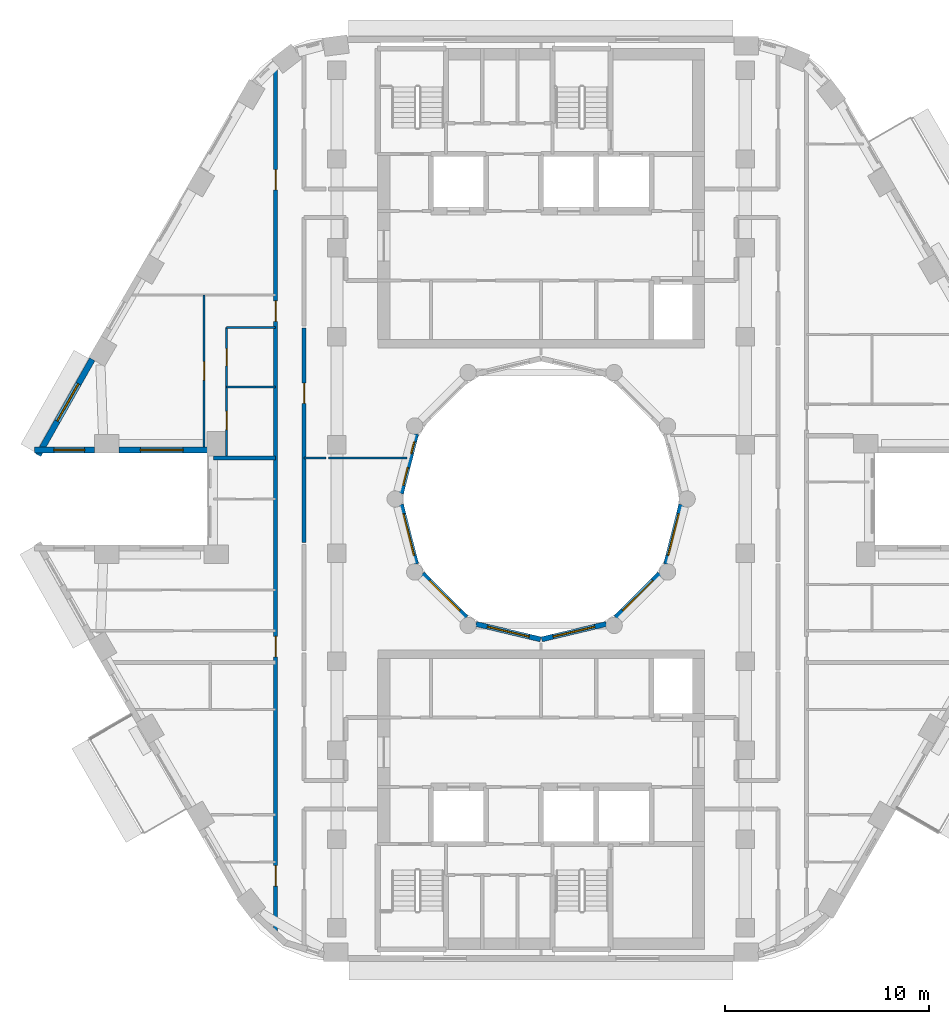
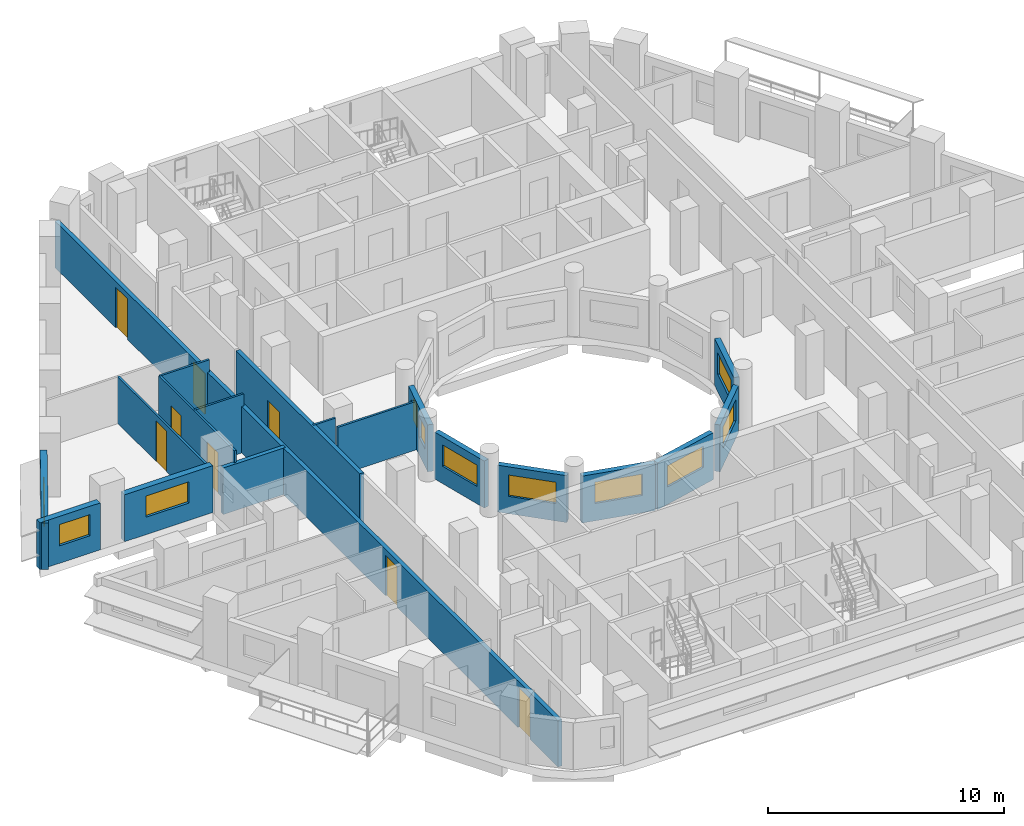
# One storey, part 5 of 18: 19 walls, 11 windows, 8 doors, 19 openings.
"""IFC4 building model written with IfcOpenShell, lengths in metres."""

from ifc_helpers import new_model, si_unit, direction, frame, frame_2d, origin, place, context, subcontext, project, spatial, rectangle, extrude, material, layer, layer_set, type_object, element, fill, save


model = new_model("IFC4")

# Units and contexts
model_context = context("Model", 3, precision=1e-05, world=origin(), true_north=direction((0.0, 1.0)))
body_context = subcontext(model_context, "Body", "Model", "MODEL_VIEW")
ifc_project = project(units=[si_unit("LENGTHUNIT", "METRE"), si_unit("AREAUNIT", "SQUARE_METRE"), si_unit("VOLUMEUNIT", "CUBIC_METRE"), si_unit("PLANEANGLEUNIT", "RADIAN"), si_unit("MASSUNIT", "GRAM", prefix="KILO")], contexts=[model_context])

# Site, building, storey
site_placement = place(None, origin())
site = spatial("IfcSite", under=ifc_project, at=site_placement, CompositionType="ELEMENT")
building_placement = place(site_placement, origin())
building = spatial("IfcBuilding", under=site, at=building_placement, Name="Nakaniwa Court", CompositionType="ELEMENT")
storey_placement = place(building_placement, frame((0.0, 0.0, 176.699951171875)))
storey = spatial("IfcBuildingStorey", under=building, at=storey_placement, Name="L45", CompositionType="ELEMENT", Elevation=176.699951171875)

# Wall, opening, door
ifc_material_1 = material(Name="Acoustic double stud partition")
ifc_layer_1 = layer(ifc_material_1, 0.199951171875)
ifc_layer_set_1 = layer_set([ifc_layer_1], Name="Acoustic double stud partition")
wall_type_1 = type_object("IfcWallType", Name="Acoustic double stud partition 200", PredefinedType="PARTITIONING", material=ifc_layer_set_1)
wall_1_placement = place(storey_placement, frame((68.39990234375, 88.36279296875, 0.0), z_axis=(0.0, 0.0, 1.0), x_axis=(0.0, -1.0, 0.0)))
wall_1 = element("IfcWall", 1, at=wall_1_placement, inside=storey, type_object=wall_type_1, Name="Partition PW-101", PredefinedType="PARTITIONING", context=body_context, shape_type="SweptSolid", body=[
    extrude(rectangle(XDim=10.485595703125, YDim=0.199951171875, at=frame_2d((5.24267578125, 0.0))), origin(), (0.0, 0.0, 1.0), 3.025146484375),
])
opening_1_placement = place(wall_1_placement, frame((2.68310546875, 0.0, 0.0)))
opening_1 = element("IfcOpeningElement", 2, at=opening_1_placement, cuts=wall_1, Name="Opening D-02-06", PredefinedType="OPENING", context=body_context, shape_type="SweptSolid", body=[
    extrude(rectangle(XDim=1.0, YDim=2.10009765625, at=frame_2d((0.5, 1.050048828125))), frame((0.0, 0.10986328125, 0.0), z_axis=(0.0, -1.0, 0.0), x_axis=(1.0, 0.0, 0.0)), (0.0, 0.0, 1.0), 0.219970703125),
])
ifc_material_2 = material(Name="Solid core timber door set, black veneer", Category="wood")
door_type_1 = type_object("IfcDoorType", Name="Internal door 1000", OperationType="NOTDEFINED", PredefinedType="DOOR", material=ifc_material_2)
door_1_placement = place(opening_1_placement, origin())
door_1 = element("IfcDoor", 3, at=door_1_placement, inside=storey, type_object=door_type_1, Name="Door D-02-06 L45-059", OperationType="SINGLE_SWING_RIGHT", OverallHeight=2.10009765625, OverallWidth=1.0, PredefinedType="DOOR", context=body_context, shape_type="SweptSolid", body=[
    extrude(rectangle(XDim=1.0, YDim=2.10009765625, at=frame_2d((0.5, 1.050048828125))), frame((0.0, 0.02490234375, 0.0), z_axis=(0.0, -1.0, 0.0), x_axis=(1.0, 0.0, 0.0)), (0.0, 0.0, 1.0), 0.050048828125),
])
fill(opening_1, door_1)

# Wall, openings, doors
wall_2_placement = place(storey_placement, frame((67.0, 58.67431640625, 0.0), z_axis=(0.0, 0.0, 1.0), x_axis=(0.0, 1.0, 0.0)))
wall_2 = element("IfcWall", 4, at=wall_2_placement, inside=storey, type_object=wall_type_1, Name="Partition PW-104", PredefinedType="PARTITIONING", context=body_context, shape_type="SweptSolid", body=[
    extrude(rectangle(XDim=42.591796875, YDim=0.199951171875, at=frame_2d((21.2958984375, 0.0))), origin(), (0.0, 0.0, 1.0), 2.405029296875),
])
opening_2_placement = place(wall_2_placement, frame((2.3759765625, 0.0, 0.0)))
opening_2 = element("IfcOpeningElement", 5, at=opening_2_placement, cuts=wall_2, Name="Opening D-01-04", PredefinedType="OPENING", context=body_context, shape_type="SweptSolid", body=[
    extrude(rectangle(XDim=1.0, YDim=2.10009765625, at=frame_2d((0.5, 1.050048828125))), frame((0.0, 0.10986328125, 0.0), z_axis=(0.0, -1.0, 0.0), x_axis=(1.0, 0.0, 0.0)), (0.0, 0.0, 1.0), 0.219970703125),
])
opening_3_placement = place(wall_2_placement, frame((13.60107421875, 0.0, 0.0)))
opening_3 = element("IfcOpeningElement", 6, at=opening_3_placement, cuts=wall_2, Name="Opening D-01-05", PredefinedType="OPENING", context=body_context, shape_type="SweptSolid", body=[
    extrude(rectangle(XDim=1.0, YDim=2.10009765625, at=frame_2d((0.5, 1.050048828125))), frame((0.0, 0.10986328125, 0.0), z_axis=(0.0, -1.0, 0.0), x_axis=(1.0, 0.0, 0.0)), (0.0, 0.0, 1.0), 0.219970703125),
])
opening_4_placement = place(wall_2_placement, frame((30.02587890625, 0.0, 0.0)))
opening_4 = element("IfcOpeningElement", 7, at=opening_4_placement, cuts=wall_2, Name="Opening D-01-06", PredefinedType="OPENING", context=body_context, shape_type="SweptSolid", body=[
    extrude(rectangle(XDim=1.0, YDim=2.10009765625, at=frame_2d((0.5, 1.050048828125))), frame((0.0, 0.10986328125, 0.0), z_axis=(0.0, -1.0, 0.0), x_axis=(1.0, 0.0, 0.0)), (0.0, 0.0, 1.0), 0.219970703125),
])
opening_5_placement = place(wall_2_placement, frame((36.45703125, 0.0, 0.0)))
opening_5 = element("IfcOpeningElement", 8, at=opening_5_placement, cuts=wall_2, Name="Opening D-02-08", PredefinedType="OPENING", context=body_context, shape_type="SweptSolid", body=[
    extrude(rectangle(XDim=1.0, YDim=2.10009765625, at=frame_2d((0.5, 1.050048828125))), frame((0.0, 0.10986328125, 0.0), z_axis=(0.0, -1.0, 0.0), x_axis=(1.0, 0.0, 0.0)), (0.0, 0.0, 1.0), 0.219970703125),
])
door_type_2 = type_object("IfcDoorType", Name="Flat entrance door 1000", OperationType="NOTDEFINED", PredefinedType="DOOR", material=ifc_material_2)
door_2_placement = place(opening_2_placement, origin())
door_2 = element("IfcDoor", 9, at=door_2_placement, inside=storey, type_object=door_type_2, Name="Door D-01-04 L45-045", OperationType="SINGLE_SWING_RIGHT", OverallHeight=2.10009765625, OverallWidth=1.0, PredefinedType="DOOR", context=body_context, shape_type="SweptSolid", body=[
    extrude(rectangle(XDim=1.0, YDim=2.10009765625, at=frame_2d((0.5, 1.050048828125))), frame((0.0, 0.02490234375, 0.0), z_axis=(0.0, -1.0, 0.0), x_axis=(1.0, 0.0, 0.0)), (0.0, 0.0, 1.0), 0.050048828125),
])
fill(opening_2, door_2)
door_3_placement = place(opening_3_placement, origin())
door_3 = element("IfcDoor", 10, at=door_3_placement, inside=storey, type_object=door_type_2, Name="Door D-01-05 L45-051", OperationType="SINGLE_SWING_RIGHT", OverallHeight=2.10009765625, OverallWidth=1.0, PredefinedType="DOOR", context=body_context, shape_type="SweptSolid", body=[
    extrude(rectangle(XDim=1.0, YDim=2.10009765625, at=frame_2d((0.5, 1.050048828125))), frame((0.0, 0.02490234375, 0.0), z_axis=(0.0, -1.0, 0.0), x_axis=(1.0, 0.0, 0.0)), (0.0, 0.0, 1.0), 0.050048828125),
])
fill(opening_3, door_3)
door_4_placement = place(opening_4_placement, origin())
door_4 = element("IfcDoor", 11, at=door_4_placement, inside=storey, type_object=door_type_2, Name="Door D-01-06 L45-055", OperationType="SINGLE_SWING_RIGHT", OverallHeight=2.10009765625, OverallWidth=1.0, PredefinedType="DOOR", context=body_context, shape_type="SweptSolid", body=[
    extrude(rectangle(XDim=1.0, YDim=2.10009765625, at=frame_2d((0.5, 1.050048828125))), frame((0.0, 0.02490234375, 0.0), z_axis=(0.0, -1.0, 0.0), x_axis=(1.0, 0.0, 0.0)), (0.0, 0.0, 1.0), 0.050048828125),
])
fill(opening_4, door_4)
door_5_placement = place(opening_5_placement, origin())
door_5 = element("IfcDoor", 12, at=door_5_placement, inside=storey, type_object=door_type_1, Name="Door D-02-08 L45-061", OperationType="SINGLE_SWING_RIGHT", OverallHeight=2.10009765625, OverallWidth=1.0, PredefinedType="DOOR", context=body_context, shape_type="SweptSolid", body=[
    extrude(rectangle(XDim=1.0, YDim=2.10009765625, at=frame_2d((0.5, 1.050048828125))), frame((0.0, 0.02490234375, 0.0), z_axis=(0.0, -1.0, 0.0), x_axis=(1.0, 0.0, 0.0)), (0.0, 0.0, 1.0), 0.050048828125),
])
fill(opening_5, door_5)

# Wall
wall_3_placement = place(storey_placement, frame((63.950439453125, 82.0, 0.0), z_axis=(0.0, 0.0, 1.0), x_axis=(1.0, 0.0, 0.0)))
element("IfcWall", 13, at=wall_3_placement, inside=storey, type_object=wall_type_1, Name="Partition PW-138", PredefinedType="PARTITIONING", context=body_context, shape_type="SweptSolid", body=[
    extrude(rectangle(XDim=3.048583984375, YDim=0.199951171875, at=frame_2d((1.5244140625, 0.0))), origin(), (0.0, 0.0, 1.0), 2.405029296875),
])

# Wall, opening, window
ifc_material_3 = material(Name="Charcoal ceramic cladding")
ifc_layer_2 = layer(ifc_material_3, 0.02, Name="Ceramic cladding")
ifc_material_4 = material(Name="Ventilated air cavity")
ifc_layer_3 = layer(ifc_material_4, 0.04, ventilated=True, Name="Ventilated cavity")
ifc_material_5 = material(Name="Mineral wool insulation")
ifc_layer_4 = layer(ifc_material_5, 0.1, Name="Insulation")
ifc_material_6 = material(Name="Cement bonded sheathing board")
ifc_layer_5 = layer(ifc_material_6, 0.012, Name="Sheathing")
ifc_material_7 = material(Name="Cold-formed galvanised stud frame with mineral wool infill")
ifc_layer_6 = layer(ifc_material_7, 0.1, Name="Stud frame")
ifc_material_8 = material(Name="Fire-rated gypsum plasterboard lining")
ifc_layer_7 = layer(ifc_material_8, 0.028, Name="Lining")
ifc_layer_set_2 = layer_set([ifc_layer_2, ifc_layer_3, ifc_layer_4, ifc_layer_5, ifc_layer_6, ifc_layer_7], Name="Charcoal ceramic faced external wall system")
wall_type_2 = type_object("IfcWallType", Name="Black ceramic faced external wall 300", PredefinedType="SOLIDWALL", material=ifc_layer_set_2)
wall_4_placement = place(storey_placement, frame((58.023193359375, 86.843017578125, 0.0), z_axis=(0.0, 0.0, 1.0), x_axis=(-0.492033360928, -0.870576344575, 0.0)))
wall_4 = element("IfcWall", 14, at=wall_4_placement, inside=storey, type_object=wall_type_2, Name="L45 external wall 14", PredefinedType="SOLIDWALL", context=body_context, shape_type="SweptSolid", body=[
    extrude(rectangle(XDim=5.38671875, YDim=0.300048828125, at=frame_2d((2.693359375, 0.0))), origin(), (0.0, 0.0, 1.0), 2.425048828125),
])
opening_6_placement = place(wall_4_placement, frame((1.38037109375, 0.0, 0.89990234375)))
opening_6 = element("IfcOpeningElement", 15, at=opening_6_placement, cuts=wall_4, Name="Opening W7.14", PredefinedType="OPENING", context=body_context, shape_type="SweptSolid", body=[
    extrude(rectangle(XDim=2.10009765625, YDim=1.10009765625, at=frame_2d((1.050048828125, 0.550048828125))), frame((0.0, 0.159912109375, 0.0), z_axis=(0.0, -1.0, 0.0), x_axis=(1.0, 0.0, 0.0)), (0.0, 0.0, 1.0), 0.320068359375),
])
ifc_material_9 = material(Name="Black anodised aluminium frame with dark low-E laminated double glazing", Category="aluminium")
window_type_1 = type_object("IfcWindowType", Name="Dark glass window 2100x1100 sill 900", PartitioningType="SINGLE_PANEL", PredefinedType="WINDOW", material=ifc_material_9)
window_1_placement = place(opening_6_placement, origin())
window_1 = element("IfcWindow", 16, at=window_1_placement, inside=storey, type_object=window_type_1, Name="L45 living window 14-0", OverallHeight=1.10009765625, OverallWidth=2.10009765625, PartitioningType="SINGLE_PANEL", PredefinedType="WINDOW", context=body_context, shape_type="SweptSolid", body=[
    extrude(rectangle(XDim=2.10009765625, YDim=1.10009765625, at=frame_2d((1.050048828125, 0.550048828125))), frame((0.0, 0.030029296875, 0.0), z_axis=(0.0, -1.0, 0.0), x_axis=(1.0, 0.0, 0.0)), (0.0, 0.0, 1.0), 0.06005859375),
])
fill(opening_6, window_1)

wall_5_placement = place(storey_placement, frame((55.2021484375, 82.39990234375, 0.0), z_axis=(0.0, 0.0, 1.0), x_axis=(1.0, 0.0, 0.0)))
wall_5 = element("IfcWall", 17, at=wall_5_placement, inside=storey, type_object=wall_type_2, Name="L45 external wall 15", PredefinedType="SOLIDWALL", context=body_context, shape_type="SweptSolid", body=[
    extrude(rectangle(XDim=2.937744140625, YDim=0.300048828125, at=frame_2d((1.46875, 0.0))), origin(), (0.0, 0.0, 1.0), 2.425048828125),
])
opening_7_placement = place(wall_5_placement, frame((0.944091796875, 0.0, 0.89990234375)))
opening_7 = element("IfcOpeningElement", 18, at=opening_7_placement, cuts=wall_5, Name="Opening W5.15", PredefinedType="OPENING", context=body_context, shape_type="SweptSolid", body=[
    extrude(rectangle(XDim=1.5, YDim=1.10009765625, at=frame_2d((0.75, 0.550048828125))), frame((0.0, 0.159912109375, 0.0), z_axis=(0.0, -1.0, 0.0), x_axis=(1.0, 0.0, 0.0)), (0.0, 0.0, 1.0), 0.320068359375),
])
window_type_2 = type_object("IfcWindowType", Name="Dark glass window 1500x1100 sill 900", PartitioningType="SINGLE_PANEL", PredefinedType="WINDOW", material=ifc_material_9)
window_2_placement = place(opening_7_placement, origin())
window_2 = element("IfcWindow", 19, at=window_2_placement, inside=storey, type_object=window_type_2, Name="L45 living window 15-0", OverallHeight=1.10009765625, OverallWidth=1.5, PartitioningType="SINGLE_PANEL", PredefinedType="WINDOW", context=body_context, shape_type="SweptSolid", body=[
    extrude(rectangle(XDim=1.5, YDim=1.10009765625, at=frame_2d((0.75, 0.550048828125))), frame((0.0, 0.030029296875, 0.0), z_axis=(0.0, -1.0, 0.0), x_axis=(1.0, 0.0, 0.0)), (0.0, 0.0, 1.0), 0.06005859375),
])
fill(opening_7, window_2)

wall_6_placement = place(storey_placement, frame((59.33203125, 82.39990234375, 0.0), z_axis=(0.0, 0.0, 1.0), x_axis=(1.0, 0.0, 0.0)))
wall_6 = element("IfcWall", 20, at=wall_6_placement, inside=storey, type_object=wall_type_2, Name="L45 external wall 16", PredefinedType="SOLIDWALL", context=body_context, shape_type="SweptSolid", body=[
    extrude(rectangle(XDim=4.322509765625, YDim=0.300048828125, at=frame_2d((2.1611328125, 0.0))), origin(), (0.0, 0.0, 1.0), 2.425048828125),
])
opening_8_placement = place(wall_6_placement, frame((1.04541015625, 0.0, 0.89990234375)))
opening_8 = element("IfcOpeningElement", 21, at=opening_8_placement, cuts=wall_6, Name="Opening W7.16", PredefinedType="OPENING", context=body_context, shape_type="SweptSolid", body=[
    extrude(rectangle(XDim=2.10009765625, YDim=1.10009765625, at=frame_2d((1.050048828125, 0.550048828125))), frame((0.0, 0.159912109375, 0.0), z_axis=(0.0, -1.0, 0.0), x_axis=(1.0, 0.0, 0.0)), (0.0, 0.0, 1.0), 0.320068359375),
])
window_3_placement = place(opening_8_placement, origin())
window_3 = element("IfcWindow", 22, at=window_3_placement, inside=storey, type_object=window_type_1, Name="L45 living window 16-0", OverallHeight=1.10009765625, OverallWidth=2.10009765625, PartitioningType="SINGLE_PANEL", PredefinedType="WINDOW", context=body_context, shape_type="SweptSolid", body=[
    extrude(rectangle(XDim=2.10009765625, YDim=1.10009765625, at=frame_2d((1.050048828125, 0.550048828125))), frame((0.0, 0.030029296875, 0.0), z_axis=(0.0, -1.0, 0.0), x_axis=(1.0, 0.0, 0.0)), (0.0, 0.0, 1.0), 0.06005859375),
])
fill(opening_8, window_3)

ifc_layer_8 = layer(ifc_material_3, 0.02, Name="Ceramic cladding")
ifc_layer_9 = layer(ifc_material_4, 0.04, ventilated=True, Name="Ventilated cavity")
ifc_layer_10 = layer(ifc_material_5, 0.075, Name="Insulation")
ifc_layer_11 = layer(ifc_material_6, 0.012, Name="Sheathing")
ifc_layer_12 = layer(ifc_material_7, 0.075, Name="Stud frame")
ifc_layer_13 = layer(ifc_material_8, 0.028, Name="Lining")
ifc_layer_set_3 = layer_set([ifc_layer_8, ifc_layer_9, ifc_layer_10, ifc_layer_11, ifc_layer_12, ifc_layer_13], Name="Charcoal ceramic faced external wall system")
wall_type_3 = type_object("IfcWallType", Name="Charcoal ceramic faced well wall 250", PredefinedType="SOLIDWALL", material=ifc_layer_set_3)
wall_7_placement = place(storey_placement, frame((86.8603515625, 79.72998046875, 0.0), z_axis=(0.0, 0.0, 1.0), x_axis=(-0.247055971283, -0.969001211069, 0.0)))
wall_7 = element("IfcWall", 23, at=wall_7_placement, inside=storey, type_object=wall_type_3, Name="L45 external wall 36", PredefinedType="SOLIDWALL", context=body_context, shape_type="SweptSolid", body=[
    extrude(rectangle(XDim=3.010009765625, YDim=0.25, at=frame_2d((1.5048828125, 0.0))), origin(), (0.0, 0.0, 1.0), 2.425048828125),
])
opening_9_placement = place(wall_7_placement, frame((0.46875, 0.0, 0.89990234375)))
opening_9 = element("IfcOpeningElement", 24, at=opening_9_placement, cuts=wall_7, Name="Opening W7.37", PredefinedType="OPENING", context=body_context, shape_type="SweptSolid", body=[
    extrude(rectangle(XDim=2.10009765625, YDim=1.10009765625, at=frame_2d((1.050048828125, 0.550048828125))), frame((0.0, 0.135009765625, 0.0), z_axis=(0.0, -1.0, 0.0), x_axis=(1.0, 0.0, 0.0)), (0.0, 0.0, 1.0), 0.27001953125),
])
window_4_placement = place(opening_9_placement, origin())
window_4 = element("IfcWindow", 25, at=window_4_placement, inside=storey, type_object=window_type_1, Name="L45 habitable room window 36-0", OverallHeight=1.10009765625, OverallWidth=2.10009765625, PartitioningType="SINGLE_PANEL", PredefinedType="WINDOW", context=body_context, shape_type="SweptSolid", body=[
    extrude(rectangle(XDim=2.10009765625, YDim=1.10009765625, at=frame_2d((1.050048828125, 0.550048828125))), frame((0.0, 0.030029296875, 0.0), z_axis=(0.0, -1.0, 0.0), x_axis=(1.0, 0.0, 0.0)), (0.0, 0.0, 1.0), 0.06005859375),
])
fill(opening_9, window_4)

wall_8_placement = place(storey_placement, frame((85.8056640625, 76.339111328125, 0.0), z_axis=(0.0, 0.0, 1.0), x_axis=(-0.707106781187, -0.707106781187, 0.0)))
wall_8 = element("IfcWall", 26, at=wall_8_placement, inside=storey, type_object=wall_type_3, Name="L45 external wall 37", PredefinedType="SOLIDWALL", context=body_context, shape_type="SweptSolid", body=[
    extrude(rectangle(XDim=3.033203125, YDim=0.25, at=frame_2d((1.5166015625, 0.0))), origin(), (0.0, 0.0, 1.0), 2.425048828125),
])
opening_10_placement = place(wall_8_placement, frame((0.466552734375, 0.0, 0.89990234375)))
opening_10 = element("IfcOpeningElement", 27, at=opening_10_placement, cuts=wall_8, Name="Opening W7.38", PredefinedType="OPENING", context=body_context, shape_type="SweptSolid", body=[
    extrude(rectangle(XDim=2.10009765625, YDim=1.10009765625, at=frame_2d((1.050048828125, 0.550048828125))), frame((0.0, 0.135009765625, 0.0), z_axis=(0.0, -1.0, 0.0), x_axis=(1.0, 0.0, 0.0)), (0.0, 0.0, 1.0), 0.27001953125),
])
window_5_placement = place(opening_10_placement, origin())
window_5 = element("IfcWindow", 28, at=window_5_placement, inside=storey, type_object=window_type_1, Name="L45 habitable room window 37-0", OverallHeight=1.10009765625, OverallWidth=2.10009765625, PartitioningType="SINGLE_PANEL", PredefinedType="WINDOW", context=body_context, shape_type="SweptSolid", body=[
    extrude(rectangle(XDim=2.10009765625, YDim=1.10009765625, at=frame_2d((1.050048828125, 0.550048828125))), frame((0.0, 0.030029296875, 0.0), z_axis=(0.0, -1.0, 0.0), x_axis=(1.0, 0.0, 0.0)), (0.0, 0.0, 1.0), 0.06005859375),
])
fill(opening_10, window_5)

wall_9_placement = place(storey_placement, frame((83.186279296875, 73.880615234375, 0.0), z_axis=(0.0, 0.0, 1.0), x_axis=(-0.972773113459, -0.231759508395, 0.0)))
wall_9 = element("IfcWall", 29, at=wall_9_placement, inside=storey, type_object=wall_type_3, Name="L45 external wall 38", PredefinedType="SOLIDWALL", context=body_context, shape_type="SweptSolid", body=[
    extrude(rectangle(XDim=3.24560546875, YDim=0.25, at=frame_2d((1.622802734375, 0.0))), origin(), (0.0, 0.0, 1.0), 2.425048828125),
])
opening_11_placement = place(wall_9_placement, frame((0.57275390625, 0.0, 0.89990234375)))
opening_11 = element("IfcOpeningElement", 30, at=opening_11_placement, cuts=wall_9, Name="Opening W7.39", PredefinedType="OPENING", context=body_context, shape_type="SweptSolid", body=[
    extrude(rectangle(XDim=2.10009765625, YDim=1.10009765625, at=frame_2d((1.050048828125, 0.550048828125))), frame((0.0, 0.135009765625, 0.0), z_axis=(0.0, -1.0, 0.0), x_axis=(1.0, 0.0, 0.0)), (0.0, 0.0, 1.0), 0.27001953125),
])
window_6_placement = place(opening_11_placement, origin())
window_6 = element("IfcWindow", 31, at=window_6_placement, inside=storey, type_object=window_type_1, Name="L45 habitable room window 38-0", OverallHeight=1.10009765625, OverallWidth=2.10009765625, PartitioningType="SINGLE_PANEL", PredefinedType="WINDOW", context=body_context, shape_type="SweptSolid", body=[
    extrude(rectangle(XDim=2.10009765625, YDim=1.10009765625, at=frame_2d((1.050048828125, 0.550048828125))), frame((0.0, 0.030029296875, 0.0), z_axis=(0.0, -1.0, 0.0), x_axis=(1.0, 0.0, 0.0)), (0.0, 0.0, 1.0), 0.06005859375),
])
fill(opening_11, window_6)

wall_10_placement = place(storey_placement, frame((79.970947265625, 73.12841796875, 0.0), z_axis=(0.0, 0.0, 1.0), x_axis=(-0.972773113459, 0.231759508395, 0.0)))
wall_10 = element("IfcWall", 32, at=wall_10_placement, inside=storey, type_object=wall_type_3, Name="L45 external wall 39", PredefinedType="SOLIDWALL", context=body_context, shape_type="SweptSolid", body=[
    extrude(rectangle(XDim=3.24560546875, YDim=0.25, at=frame_2d((1.622802734375, 0.0))), origin(), (0.0, 0.0, 1.0), 2.425048828125),
])
opening_12_placement = place(wall_10_placement, frame((0.57275390625, 0.0, 0.89990234375)))
opening_12 = element("IfcOpeningElement", 33, at=opening_12_placement, cuts=wall_10, Name="Opening W7.40", PredefinedType="OPENING", context=body_context, shape_type="SweptSolid", body=[
    extrude(rectangle(XDim=2.10009765625, YDim=1.10009765625, at=frame_2d((1.050048828125, 0.550048828125))), frame((0.0, 0.135009765625, 0.0), z_axis=(0.0, -1.0, 0.0), x_axis=(1.0, 0.0, 0.0)), (0.0, 0.0, 1.0), 0.27001953125),
])
window_7_placement = place(opening_12_placement, origin())
window_7 = element("IfcWindow", 34, at=window_7_placement, inside=storey, type_object=window_type_1, Name="L45 habitable room window 39-0", OverallHeight=1.10009765625, OverallWidth=2.10009765625, PartitioningType="SINGLE_PANEL", PredefinedType="WINDOW", context=body_context, shape_type="SweptSolid", body=[
    extrude(rectangle(XDim=2.10009765625, YDim=1.10009765625, at=frame_2d((1.050048828125, 0.550048828125))), frame((0.0, 0.030029296875, 0.0), z_axis=(0.0, -1.0, 0.0), x_axis=(1.0, 0.0, 0.0)), (0.0, 0.0, 1.0), 0.06005859375),
])
fill(opening_12, window_7)

wall_11_placement = place(storey_placement, frame((76.339111328125, 74.1943359375, 0.0), z_axis=(0.0, 0.0, 1.0), x_axis=(-0.707106781187, 0.707106781187, 0.0)))
wall_11 = element("IfcWall", 35, at=wall_11_placement, inside=storey, type_object=wall_type_3, Name="L45 external wall 40", PredefinedType="SOLIDWALL", context=body_context, shape_type="SweptSolid", body=[
    extrude(rectangle(XDim=3.033203125, YDim=0.25, at=frame_2d((1.5166015625, 0.0))), origin(), (0.0, 0.0, 1.0), 2.425048828125),
])
opening_13_placement = place(wall_11_placement, frame((0.466552734375, 0.0, 0.89990234375)))
opening_13 = element("IfcOpeningElement", 36, at=opening_13_placement, cuts=wall_11, Name="Opening W7.41", PredefinedType="OPENING", context=body_context, shape_type="SweptSolid", body=[
    extrude(rectangle(XDim=2.10009765625, YDim=1.10009765625, at=frame_2d((1.050048828125, 0.550048828125))), frame((0.0, 0.135009765625, 0.0), z_axis=(0.0, -1.0, 0.0), x_axis=(1.0, 0.0, 0.0)), (0.0, 0.0, 1.0), 0.27001953125),
])
window_8_placement = place(opening_13_placement, origin())
window_8 = element("IfcWindow", 37, at=window_8_placement, inside=storey, type_object=window_type_1, Name="L45 habitable room window 40-0", OverallHeight=1.10009765625, OverallWidth=2.10009765625, PartitioningType="SINGLE_PANEL", PredefinedType="WINDOW", context=body_context, shape_type="SweptSolid", body=[
    extrude(rectangle(XDim=2.10009765625, YDim=1.10009765625, at=frame_2d((1.050048828125, 0.550048828125))), frame((0.0, 0.030029296875, 0.0), z_axis=(0.0, -1.0, 0.0), x_axis=(1.0, 0.0, 0.0)), (0.0, 0.0, 1.0), 0.06005859375),
])
fill(opening_13, window_8)

wall_12_placement = place(storey_placement, frame((73.88330078125, 76.813232421875, 0.0), z_axis=(0.0, 0.0, 1.0), x_axis=(-0.247055971283, 0.969001211069, 0.0)))
wall_12 = element("IfcWall", 38, at=wall_12_placement, inside=storey, type_object=wall_type_3, Name="L45 external wall 41", PredefinedType="SOLIDWALL", context=body_context, shape_type="SweptSolid", body=[
    extrude(rectangle(XDim=3.010009765625, YDim=0.25, at=frame_2d((1.5048828125, 0.0))), origin(), (0.0, 0.0, 1.0), 2.425048828125),
])
opening_14_placement = place(wall_12_placement, frame((0.441162109375, 0.0, 0.89990234375)))
opening_14 = element("IfcOpeningElement", 39, at=opening_14_placement, cuts=wall_12, Name="Opening W7.42", PredefinedType="OPENING", context=body_context, shape_type="SweptSolid", body=[
    extrude(rectangle(XDim=2.10009765625, YDim=1.10009765625, at=frame_2d((1.050048828125, 0.550048828125))), frame((0.0, 0.135009765625, 0.0), z_axis=(0.0, -1.0, 0.0), x_axis=(1.0, 0.0, 0.0)), (0.0, 0.0, 1.0), 0.27001953125),
])
window_9_placement = place(opening_14_placement, origin())
window_9 = element("IfcWindow", 40, at=window_9_placement, inside=storey, type_object=window_type_1, Name="L45 habitable room window 41-0", OverallHeight=1.10009765625, OverallWidth=2.10009765625, PartitioningType="SINGLE_PANEL", PredefinedType="WINDOW", context=body_context, shape_type="SweptSolid", body=[
    extrude(rectangle(XDim=2.10009765625, YDim=1.10009765625, at=frame_2d((1.050048828125, 0.550048828125))), frame((0.0, 0.030029296875, 0.0), z_axis=(0.0, -1.0, 0.0), x_axis=(1.0, 0.0, 0.0)), (0.0, 0.0, 1.0), 0.06005859375),
])
fill(opening_14, window_9)

# Wall, openings, windows
wall_13_placement = place(storey_placement, frame((73.1396484375, 80.27001953125, 0.0), z_axis=(0.0, 0.0, 1.0), x_axis=(0.247055971283, 0.969001211069, 0.0)))
wall_13 = element("IfcWall", 41, at=wall_13_placement, inside=storey, type_object=wall_type_3, Name="L45 external wall 42", PredefinedType="SOLIDWALL", context=body_context, shape_type="SweptSolid", body=[
    extrude(rectangle(XDim=3.010009765625, YDim=0.25, at=frame_2d((1.5048828125, 0.0))), origin(), (0.0, 0.0, 1.0), 2.425048828125),
])
opening_15_placement = place(wall_13_placement, frame((0.418701171875, 0.0, 0.89990234375)))
opening_15 = element("IfcOpeningElement", 42, at=opening_15_placement, cuts=wall_13, Name="Opening W9.43", PredefinedType="OPENING", context=body_context, shape_type="SweptSolid", body=[
    extrude(rectangle(XDim=0.89990234375, YDim=1.10009765625, at=frame_2d((0.449951171875, 0.550048828125))), frame((0.0, 0.135009765625, 0.0), z_axis=(0.0, -1.0, 0.0), x_axis=(1.0, 0.0, 0.0)), (0.0, 0.0, 1.0), 0.27001953125),
])
opening_16_placement = place(wall_13_placement, frame((2.018310546875, 0.0, 0.89990234375)))
opening_16 = element("IfcOpeningElement", 43, at=opening_16_placement, cuts=wall_13, Name="Opening W8.44", PredefinedType="OPENING", context=body_context, shape_type="SweptSolid", body=[
    extrude(rectangle(XDim=0.60009765625, YDim=1.10009765625, at=frame_2d((0.300048828125, 0.550048828125))), frame((0.0, 0.135009765625, 0.0), z_axis=(0.0, -1.0, 0.0), x_axis=(1.0, 0.0, 0.0)), (0.0, 0.0, 1.0), 0.27001953125),
])
window_type_3 = type_object("IfcWindowType", Name="Dark glass window 600x1100 sill 900", PartitioningType="SINGLE_PANEL", PredefinedType="WINDOW", material=ifc_material_9)
window_10_placement = place(opening_16_placement, origin())
window_10 = element("IfcWindow", 44, at=window_10_placement, inside=storey, type_object=window_type_3, Name="L45 habitable room window 42-1", OverallHeight=1.10009765625, OverallWidth=0.60009765625, PartitioningType="SINGLE_PANEL", PredefinedType="WINDOW", context=body_context, shape_type="SweptSolid", body=[
    extrude(rectangle(XDim=0.60009765625, YDim=1.10009765625, at=frame_2d((0.300048828125, 0.550048828125))), frame((0.0, 0.030029296875, 0.0), z_axis=(0.0, -1.0, 0.0), x_axis=(1.0, 0.0, 0.0)), (0.0, 0.0, 1.0), 0.06005859375),
])
fill(opening_16, window_10)
window_type_4 = type_object("IfcWindowType", Name="Dark glass window 900x1100 sill 900", PartitioningType="SINGLE_PANEL", PredefinedType="WINDOW", material=ifc_material_9)
window_11_placement = place(opening_15_placement, origin())
window_11 = element("IfcWindow", 45, at=window_11_placement, inside=storey, type_object=window_type_4, Name="L45 habitable room window 42-0", OverallHeight=1.10009765625, OverallWidth=0.89990234375, PartitioningType="SINGLE_PANEL", PredefinedType="WINDOW", context=body_context, shape_type="SweptSolid", body=[
    extrude(rectangle(XDim=0.89990234375, YDim=1.10009765625, at=frame_2d((0.449951171875, 0.550048828125))), frame((0.0, 0.030029296875, 0.0), z_axis=(0.0, -1.0, 0.0), x_axis=(1.0, 0.0, 0.0)), (0.0, 0.0, 1.0), 0.06005859375),
])
fill(opening_15, window_11)

# Walls
ifc_material_10 = material(Name="Single stud plasterboard partition")
ifc_layer_14 = layer(ifc_material_10, 0.10009765625)
ifc_layer_set_4 = layer_set([ifc_layer_14], Name="Single stud plasterboard partition")
wall_type_4 = type_object("IfcWallType", Name="Single stud plasterboard partition 100", PredefinedType="PARTITIONING", material=ifc_layer_set_4)
wall_14_placement = place(storey_placement, frame((68.40087890625, 82.0, 0.0), z_axis=(0.0, 0.0, 1.0), x_axis=(1.0, 0.0, 0.0)))
element("IfcWall", 46, at=wall_14_placement, inside=storey, type_object=wall_type_4, Name="Partition PW-134", PredefinedType="PARTITIONING", context=body_context, shape_type="SweptSolid", body=[
    extrude(rectangle(XDim=1.072021484375, YDim=0.10009765625, at=frame_2d((0.5361328125, 0.0))), origin(), (0.0, 0.0, 1.0), 3.025146484375),
])
wall_15_placement = place(storey_placement, frame((69.5869140625, 82.0, 0.0), z_axis=(0.0, 0.0, 1.0), x_axis=(1.0, 0.0, 0.0)))
element("IfcWall", 47, at=wall_15_placement, inside=storey, type_object=wall_type_4, Name="Partition PW-135", PredefinedType="PARTITIONING", context=body_context, shape_type="SweptSolid", body=[
    extrude(rectangle(XDim=3.8349609375, YDim=0.10009765625, at=frame_2d((1.91748046875, 0.0))), origin(), (0.0, 0.0, 1.0), 2.505126953125),
])
wall_16_placement = place(storey_placement, frame((64.59912109375, 85.490966796875, 0.0), z_axis=(0.0, 0.0, 1.0), x_axis=(1.0, 0.0, 0.0)))
element("IfcWall", 48, at=wall_16_placement, inside=storey, type_object=wall_type_4, Name="Partition PW-139", PredefinedType="PARTITIONING", context=body_context, shape_type="SweptSolid", body=[
    extrude(rectangle(XDim=2.39990234375, YDim=0.10009765625, at=frame_2d((1.199951171875, 0.0))), origin(), (0.0, 0.0, 1.0), 3.025146484375),
])

# Wall, openings, doors
wall_17_placement = place(storey_placement, frame((64.59912109375, 88.39990234375, 0.0), z_axis=(0.0, 0.0, 1.0), x_axis=(0.0, -1.0, 0.0)))
wall_17 = element("IfcWall", 49, at=wall_17_placement, inside=storey, type_object=wall_type_4, Name="Partition PW-140", PredefinedType="PARTITIONING", context=body_context, shape_type="SweptSolid", body=[
    extrude(rectangle(XDim=6.39990234375, YDim=0.10009765625, at=frame_2d((3.199951171875, 0.0))), origin(), (0.0, 0.0, 1.0), 3.025146484375),
])
opening_17_placement = place(wall_17_placement, frame((4.10498046875, 0.0, 0.0)))
opening_17 = element("IfcOpeningElement", 50, at=opening_17_placement, cuts=wall_17, Name="Opening D-33-14", PredefinedType="OPENING", context=body_context, shape_type="SweptSolid", body=[
    extrude(rectangle(XDim=0.89990234375, YDim=2.10009765625, at=frame_2d((0.449951171875, 1.050048828125))), frame((0.0, 0.06005859375, 0.0), z_axis=(0.0, -1.0, 0.0), x_axis=(1.0, 0.0, 0.0)), (0.0, 0.0, 1.0), 0.1201171875),
])
opening_18_placement = place(wall_17_placement, frame((1.030029296875, 0.0, 0.0)))
opening_18 = element("IfcOpeningElement", 51, at=opening_18_placement, cuts=wall_17, Name="Opening D-03-06", PredefinedType="OPENING", context=body_context, shape_type="SweptSolid", body=[
    extrude(rectangle(XDim=0.85009765625, YDim=2.10009765625, at=frame_2d((0.425048828125, 1.050048828125))), frame((0.0, 0.06005859375, 0.0), z_axis=(0.0, -1.0, 0.0), x_axis=(1.0, 0.0, 0.0)), (0.0, 0.0, 1.0), 0.1201171875),
])
ifc_material_11 = material(Name="Moisture sealed timber door set", Category="wood")
door_type_3 = type_object("IfcDoorType", Name="Bathroom door 850", OperationType="NOTDEFINED", PredefinedType="DOOR", material=ifc_material_11)
door_6_placement = place(opening_18_placement, origin())
door_6 = element("IfcDoor", 52, at=door_6_placement, inside=storey, type_object=door_type_3, Name="Door D-03-06 L45-057", OperationType="SINGLE_SWING_RIGHT", OverallHeight=2.10009765625, OverallWidth=0.85009765625, PredefinedType="DOOR", context=body_context, shape_type="SweptSolid", body=[
    extrude(rectangle(XDim=0.85009765625, YDim=2.10009765625, at=frame_2d((0.425048828125, 1.050048828125))), frame((0.0, 0.02490234375, 0.0), z_axis=(0.0, -1.0, 0.0), x_axis=(1.0, 0.0, 0.0)), (0.0, 0.0, 1.0), 0.050048828125),
])
fill(opening_18, door_6)
door_type_4 = type_object("IfcDoorType", Name="Internal door 900", OperationType="NOTDEFINED", PredefinedType="DOOR", material=ifc_material_2)
door_7_placement = place(opening_17_placement, origin())
door_7 = element("IfcDoor", 53, at=door_7_placement, inside=storey, type_object=door_type_4, Name="Door D-33-14 L45-056", OperationType="SINGLE_SWING_LEFT", OverallHeight=2.10009765625, OverallWidth=0.89990234375, PredefinedType="DOOR", context=body_context, shape_type="SweptSolid", body=[
    extrude(rectangle(XDim=0.89990234375, YDim=2.10009765625, at=frame_2d((0.449951171875, 1.050048828125))), frame((0.0, 0.02490234375, 0.0), z_axis=(0.0, -1.0, 0.0), x_axis=(1.0, 0.0, 0.0)), (0.0, 0.0, 1.0), 0.050048828125),
])
fill(opening_17, door_7)

# Wall
wall_18_placement = place(storey_placement, frame((64.59912109375, 88.39990234375, 0.0), z_axis=(0.0, 0.0, 1.0), x_axis=(1.0, 0.0, 0.0)))
element("IfcWall", 54, at=wall_18_placement, inside=storey, type_object=wall_type_4, Name="Partition PW-141", PredefinedType="PARTITIONING", context=body_context, shape_type="SweptSolid", body=[
    extrude(rectangle(XDim=2.39990234375, YDim=0.10009765625, at=frame_2d((1.199951171875, 0.0))), origin(), (0.0, 0.0, 1.0), 3.025146484375),
])

# Wall, opening, door
wall_19_placement = place(storey_placement, frame((63.4990234375, 82.550048828125, 0.0), z_axis=(0.0, 0.0, 1.0), x_axis=(0.0, 1.0, 0.0)))
wall_19 = element("IfcWall", 55, at=wall_19_placement, inside=storey, type_object=wall_type_4, Name="Partition PW-142", PredefinedType="PARTITIONING", context=body_context, shape_type="SweptSolid", body=[
    extrude(rectangle(XDim=7.449951171875, YDim=0.10009765625, at=frame_2d((3.72509765625, 0.0))), origin(), (0.0, 0.0, 1.0), 2.405029296875),
])
opening_19_placement = place(wall_19_placement, frame((3.27490234375, 0.0, 0.0)))
opening_19 = element("IfcOpeningElement", 56, at=opening_19_placement, cuts=wall_19, Name="Opening D-33-15", PredefinedType="OPENING", context=body_context, shape_type="SweptSolid", body=[
    extrude(rectangle(XDim=0.89990234375, YDim=2.10009765625, at=frame_2d((0.449951171875, 1.050048828125))), frame((0.0, 0.06005859375, 0.0), z_axis=(0.0, -1.0, 0.0), x_axis=(1.0, 0.0, 0.0)), (0.0, 0.0, 1.0), 0.1201171875),
])
door_8_placement = place(opening_19_placement, origin())
door_8 = element("IfcDoor", 57, at=door_8_placement, inside=storey, type_object=door_type_4, Name="Door D-33-15 L45-058", OperationType="SINGLE_SWING_LEFT", OverallHeight=2.10009765625, OverallWidth=0.89990234375, PredefinedType="DOOR", context=body_context, shape_type="SweptSolid", body=[
    extrude(rectangle(XDim=0.89990234375, YDim=2.10009765625, at=frame_2d((0.449951171875, 1.050048828125))), frame((0.0, 0.02490234375, 0.0), z_axis=(0.0, -1.0, 0.0), x_axis=(1.0, 0.0, 0.0)), (0.0, 0.0, 1.0), 0.050048828125),
])
fill(opening_19, door_8)

save(model, "model.ifc")
